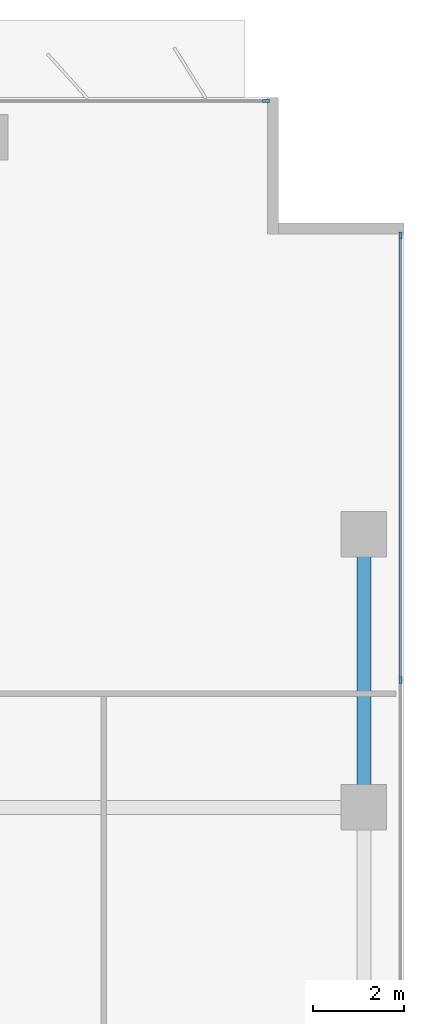
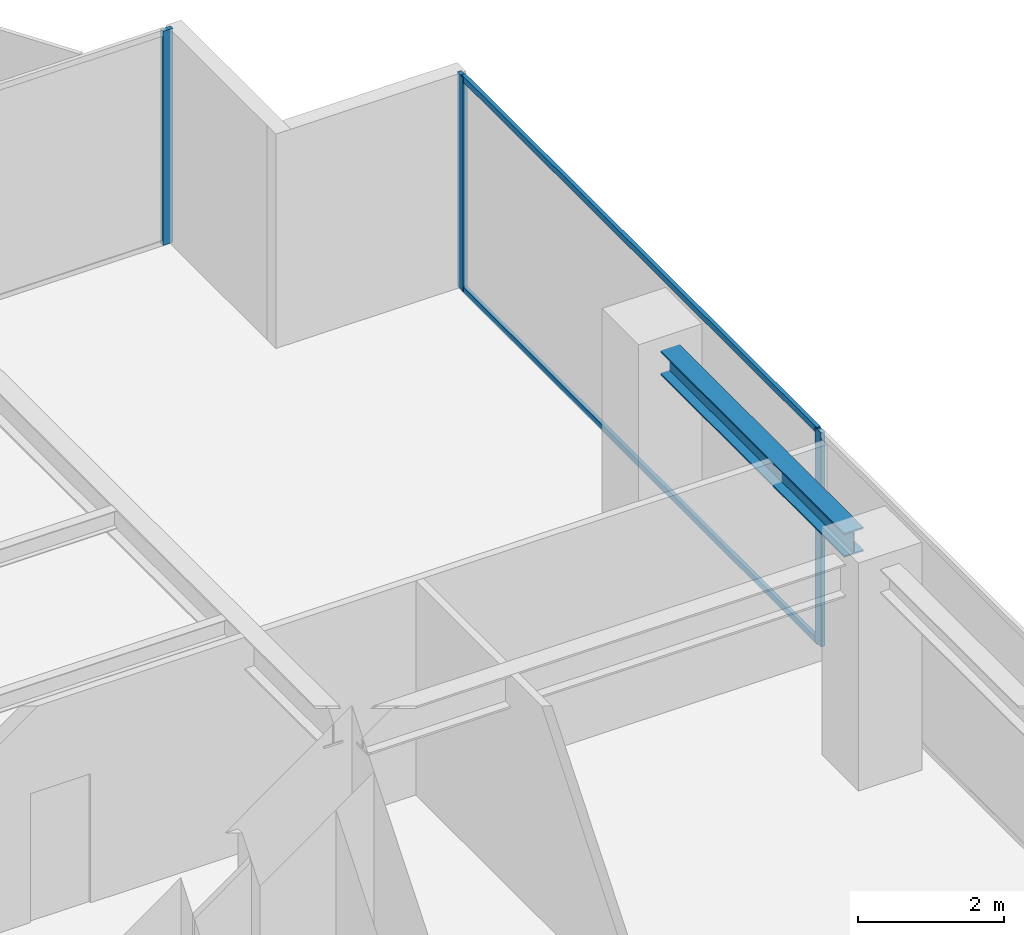
# One storey, part 13 of 22: 5 members, 1 beam, 2 elements without a shape of their own.
"""IFC4 building model written with IfcOpenShell, lengths in metres."""

from ifc_helpers import new_model, si_unit, direction, frame, origin, origin_2d, place, context, subcontext, project, spatial, rectangle, i_section, extrude, material, layer, layer_set, material_profile, profile_set, type_object, element, aggregate, save


model = new_model("IFC4")

# Units and contexts
model_context = context("Model", 3, precision=1e-05, world=origin(), true_north=direction((0.0, 1.0)))
body_context = subcontext(model_context, "Body", "Model", "MODEL_VIEW")
ifc_project = project(units=[si_unit("LENGTHUNIT", "METRE"), si_unit("AREAUNIT", "SQUARE_METRE"), si_unit("VOLUMEUNIT", "CUBIC_METRE"), si_unit("PLANEANGLEUNIT", "RADIAN"), si_unit("MASSUNIT", "GRAM", prefix="KILO")], contexts=[model_context])

# Site, building, storey
site_placement = place(None, origin())
site = spatial("IfcSite", under=ifc_project, at=site_placement, CompositionType="ELEMENT")
building_placement = place(site_placement, origin())
building = spatial("IfcBuilding", under=site, at=building_placement, Name="Putna Gate Headquarters", CompositionType="ELEMENT")
storey_placement = place(building_placement, frame((0.0, 0.0, 144.199951171875)))
storey = spatial("IfcBuildingStorey", under=building, at=storey_placement, Name="L35", CompositionType="ELEMENT", Elevation=144.199951171875)

# Beam
ifc_material_1 = material(Name="Steel S355J2", Category="steel")
ifc_material_profile_1 = material_profile(ifc_material_1, i_section(OverallWidth=0.300048828125, OverallDepth=0.39990234375, WebThickness=0.013427734375, FlangeThickness=0.02392578125, at=origin_2d()), Name="Steel S355J2")
ifc_profile_set_1 = profile_set([ifc_material_profile_1], Name="Steel S355J2")
beam_type = type_object("IfcBeamType", Name="BM-SPAN-Z3-HEB400", PredefinedType="SPANDREL", material=ifc_profile_set_1)
beam_placement = place(storey_placement, frame((73.320068359375, 33.488037109375, 3.3720703125), z_axis=(0.0, 1.0, 0.0), x_axis=(-1.0, 0.0, 0.0)))
element("IfcBeam", 1, at=beam_placement, inside=storey, type_object=beam_type, Name="L35 E End Spandrel 3", PredefinedType="SPANDREL", context=body_context, shape_type="SweptSolid", body=[
    extrude(i_section(OverallWidth=0.300048828125, OverallDepth=0.39990234375, WebThickness=0.013427734375, FlangeThickness=0.02392578125, at=origin_2d()), origin(), (0.0, 0.0, 1.0), 5.02392578125),
])

# Curtain wall, member
ifc_material_2 = material(Name="Anodised bronze aluminium curtain wall", Category="aluminium")
ifc_layer = layer(ifc_material_2, 0.159912109375)
ifc_layer_set = layer_set([ifc_layer], Name="Anodised bronze aluminium curtain wall")
curtain_wall_type = type_object("IfcCurtainWallType", Name="CW-SYS-Z3", PredefinedType="USERDEFINED", material=ifc_layer_set)
curtain_wall_1_placement = place(storey_placement, origin())
curtain_wall_1 = element("IfcCurtainWall", 2, at=curtain_wall_1_placement, inside=storey, type_object=curtain_wall_type, Name="L35 North East Curtain Wall", ObjectType="STICK CURTAIN WALL", PredefinedType="USERDEFINED")
ifc_material_3 = material(Name="Anodised bronze aluminium EN AW-6060", Category="aluminium")
ifc_material_profile_2 = material_profile(ifc_material_3, rectangle(XDim=0.06494140625, YDim=0.159912109375, at=origin_2d()), Name="Anodised bronze aluminium EN AW-6060")
ifc_profile_set_2 = profile_set([ifc_material_profile_2], Name="Anodised bronze aluminium EN AW-6060")
member_type_1 = type_object("IfcMemberType", Name="MULL-CWM-3", PredefinedType="MULLION", material=ifc_profile_set_2)
member_1_placement = place(storey_placement, frame((71.16748046875, 48.52001953125, 0.0), z_axis=(0.0, 0.0, 1.0), x_axis=(0.0, 1.0, 0.0)))
member_1 = element("IfcMember", 3, at=member_1_placement, type_object=member_type_1, Name="CWS-3 mullion 3", PredefinedType="MULLION", context=body_context, shape_type="SweptSolid", body=[
    extrude(rectangle(XDim=0.06494140625, YDim=0.159912109375, at=origin_2d()), origin(), (0.0, 0.0, 1.0), 3.572021484375),
])
aggregate(curtain_wall_1, [member_1])

# Curtain wall, members
curtain_wall_2_placement = place(storey_placement, origin())
curtain_wall_2 = element("IfcCurtainWall", 4, at=curtain_wall_2_placement, inside=storey, type_object=curtain_wall_type, Name="L35 East Curtain Wall", ObjectType="STICK CURTAIN WALL", PredefinedType="USERDEFINED")
member_2_placement = place(storey_placement, frame((74.1201171875, 35.800048828125, 0.0), z_axis=(0.0, 0.0, 1.0), x_axis=(-1.0, 0.0, 0.0)))
member_2 = element("IfcMember", 5, at=member_2_placement, type_object=member_type_1, Name="CWS-3 mullion 4", PredefinedType="MULLION", context=body_context, shape_type="SweptSolid", body=[
    extrude(rectangle(XDim=0.06494140625, YDim=0.159912109375, at=origin_2d()), origin(), (0.0, 0.0, 1.0), 3.572021484375),
])
member_3_placement = place(storey_placement, frame((74.1201171875, 45.5673828125, 0.0), z_axis=(0.0, 0.0, 1.0), x_axis=(-1.0, 0.0, 0.0)))
member_3 = element("IfcMember", 6, at=member_3_placement, type_object=member_type_1, Name="CWS-3 mullion 5", PredefinedType="MULLION", context=body_context, shape_type="SweptSolid", body=[
    extrude(rectangle(XDim=0.06494140625, YDim=0.159912109375, at=origin_2d()), origin(), (0.0, 0.0, 1.0), 3.572021484375),
])
ifc_material_profile_3 = material_profile(ifc_material_3, rectangle(XDim=0.06005859375, YDim=0.10009765625, at=origin_2d()), Name="Anodised bronze aluminium EN AW-6060")
ifc_profile_set_3 = profile_set([ifc_material_profile_3], Name="Anodised bronze aluminium EN AW-6060")
member_type_2 = type_object("IfcMemberType", Name="TRAN-CWT-3", PredefinedType="USERDEFINED", material=ifc_profile_set_3)
member_4_placement = place(storey_placement, frame((74.1201171875, 35.83251953125, 0.030029296875), z_axis=(0.0, 1.0, 0.0), x_axis=(-1.0, 0.0, 0.0)))
member_4 = element("IfcMember", 7, at=member_4_placement, type_object=member_type_2, Name="CWS-3 transom 4.1", ObjectType="TRANSOM", PredefinedType="USERDEFINED", context=body_context, shape_type="SweptSolid", body=[
    extrude(rectangle(XDim=0.06005859375, YDim=0.10009765625, at=origin_2d()), origin(), (0.0, 0.0, 1.0), 9.702392578125),
])
member_5_placement = place(storey_placement, frame((74.1201171875, 35.83251953125, 3.5419921875), z_axis=(0.0, 1.0, 0.0), x_axis=(-1.0, 0.0, 0.0)))
member_5 = element("IfcMember", 8, at=member_5_placement, type_object=member_type_2, Name="CWS-3 transom 4.2", ObjectType="TRANSOM", PredefinedType="USERDEFINED", context=body_context, shape_type="SweptSolid", body=[
    extrude(rectangle(XDim=0.06005859375, YDim=0.10009765625, at=origin_2d()), origin(), (0.0, 0.0, 1.0), 9.702392578125),
])
aggregate(curtain_wall_2, [member_2, member_3, member_4, member_5])

save(model, "model.ifc")
